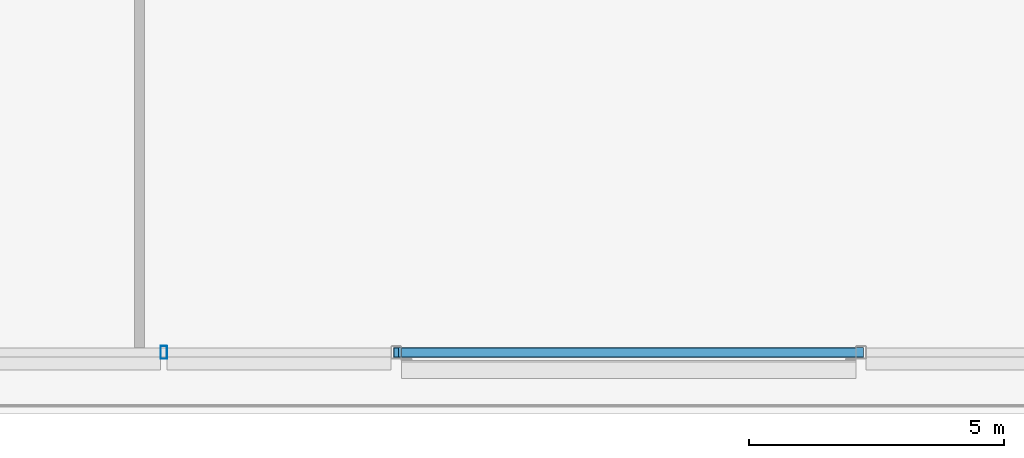
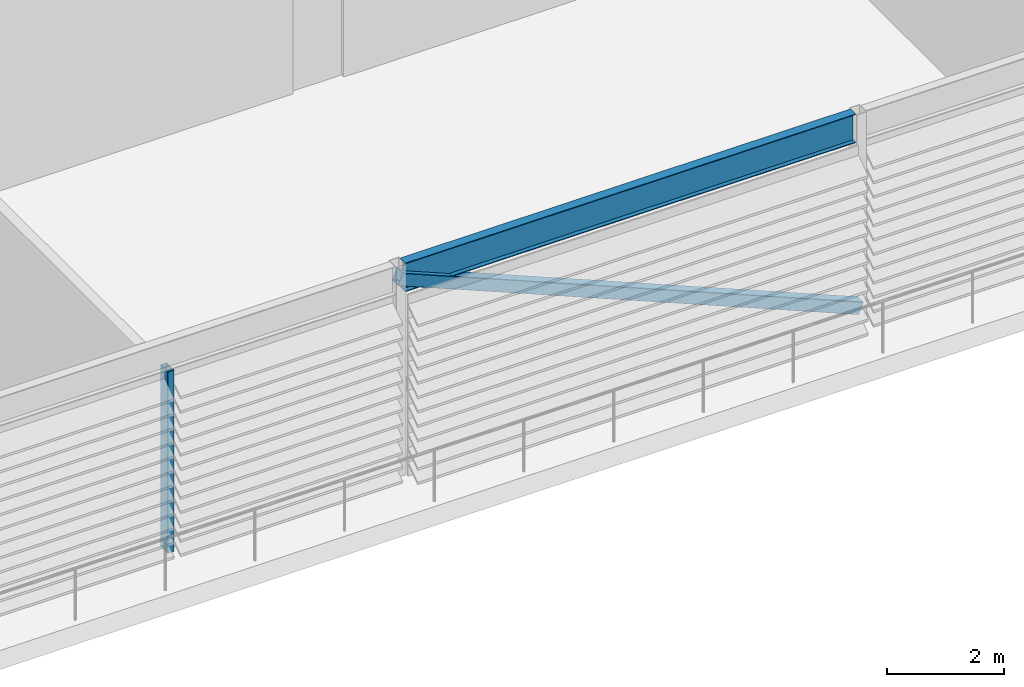
# One storey, part 6 of 29: 2 members, 1 beam.
"""IFC4 building model written with IfcOpenShell, lengths in metres."""

from ifc_helpers import new_model, si_unit, direction, frame, origin, origin_2d, place, context, subcontext, project, spatial, hollow_rectangle, i_section, extrude, material, material_profile, profile_set, type_object, element, save


model = new_model("IFC4")

# Units and contexts
model_context = context("Model", 3, precision=1e-05, world=origin(), true_north=direction((0.0, 1.0)))
body_context = subcontext(model_context, "Body", "Model", "MODEL_VIEW")
ifc_project = project(units=[si_unit("LENGTHUNIT", "METRE"), si_unit("AREAUNIT", "SQUARE_METRE"), si_unit("VOLUMEUNIT", "CUBIC_METRE"), si_unit("PLANEANGLEUNIT", "RADIAN"), si_unit("MASSUNIT", "GRAM", prefix="KILO")], contexts=[model_context])

# Site, building, storey
site_placement = place(None, origin())
site = spatial("IfcSite", under=ifc_project, at=site_placement, CompositionType="ELEMENT")
building_placement = place(site_placement, origin())
building = spatial("IfcBuilding", under=site, at=building_placement, Name="Madar Terraces", CompositionType="ELEMENT")
storey_placement = place(building_placement, frame((0.0, 0.0, 296.300048828125)))
storey = spatial("IfcBuildingStorey", under=building, at=storey_placement, Name="L77", CompositionType="ELEMENT", Elevation=296.300048828125)

# Beam
ifc_material_1 = material(Name="Steel ASTM A992 Grade 50", Category="steel")
ifc_material_profile_1 = material_profile(ifc_material_1, i_section(OverallWidth=0.1787109375, OverallDepth=0.60205078125, WebThickness=0.010986328125, FlangeThickness=0.014892578125, at=origin_2d()), Name="W24x62")
ifc_profile_set_1 = profile_set([ifc_material_profile_1], Name="Steel ASTM A992 Grade 50")
beam_type = type_object("IfcBeamType", Name="CF2 W24x62", PredefinedType="BEAM", material=ifc_profile_set_1)
beam_placement = place(storey_placement, frame((24.341552734375, 1.199951171875, 4.098876953125), z_axis=(1.0, 0.0, 0.0), x_axis=(0.0, 1.0, 0.0)))
element("IfcBeam", 1, at=beam_placement, inside=storey, type_object=beam_type, Name="Crown frame ring beam CF2", PredefinedType="BEAM", context=body_context, shape_type="SweptSolid", body=[
    extrude(i_section(OverallWidth=0.1787109375, OverallDepth=0.60205078125, WebThickness=0.010986328125, FlangeThickness=0.014892578125, at=origin_2d()), origin(), (0.0, 0.0, 1.0), 8.916748046875),
])

# Members
ifc_material_2 = material(Name="Steel ASTM A500 Grade C", Category="steel")
ifc_material_profile_2 = material_profile(ifc_material_2, hollow_rectangle(XDim=0.203125, YDim=0.25390625, WallThickness=0.009521484375, InnerFilletRadius=0.00439453125, OuterFilletRadius=0.01318359375, at=origin_2d()), Name="HSS10x8x.375")
ifc_profile_set_2 = profile_set([ifc_material_profile_2], Name="Steel ASTM A500 Grade C")
member_type_1 = type_object("IfcMemberType", Name="CF5 crown frame brace HSS10x8x.375", PredefinedType="BRACE", material=ifc_profile_set_2)
member_1_placement = place(storey_placement, frame((24.239990234375, 1.199951171875, 4.098876953125), z_axis=(0.923120783546, 0.0, -0.38451010258), x_axis=(0.0, 1.0, 0.0)))
element("IfcMember", 2, at=member_1_placement, inside=storey, type_object=member_type_1, Name="Crown frame brace CF5", PredefinedType="BRACE", context=body_context, shape_type="SweptSolid", body=[
    extrude(hollow_rectangle(XDim=0.203125, YDim=0.25390625, WallThickness=0.009521484375, InnerFilletRadius=0.00439453125, OuterFilletRadius=0.01318359375, at=origin_2d()), origin(), (0.0, 0.0, 1.0), 9.879638671875),
])
ifc_material_3 = material(Name="Steel ASTM A500 Grade C", Category="steel")
ifc_material_profile_3 = material_profile(ifc_material_3, hollow_rectangle(XDim=0.126953125, YDim=0.25390625, WallThickness=0.00634765625, InnerFilletRadius=0.0029296875, OuterFilletRadius=0.0087890625, at=origin_2d()), Name="HSS10x5x.25")
ifc_profile_set_3 = profile_set([ifc_material_profile_3], Name="Steel ASTM A500 Grade C")
member_type_2 = type_object("IfcMemberType", Name="LS2 HSS10x5x.25", PredefinedType="POST", material=ifc_profile_set_3)
member_2_placement = place(storey_placement, frame((19.679931640625, 1.199951171875, 0.0), z_axis=(0.0, 0.0, 1.0), x_axis=(1.0, 0.0, 0.0)))
element("IfcMember", 3, at=member_2_placement, inside=storey, type_object=member_type_2, Name="Crown louvre post LS2", PredefinedType="POST", context=body_context, shape_type="SweptSolid", body=[
    extrude(hollow_rectangle(XDim=0.126953125, YDim=0.25390625, WallThickness=0.00634765625, InnerFilletRadius=0.0029296875, OuterFilletRadius=0.0087890625, at=origin_2d()), origin(), (0.0, 0.0, 1.0), 3.7978515625),
])

save(model, "model.ifc")
